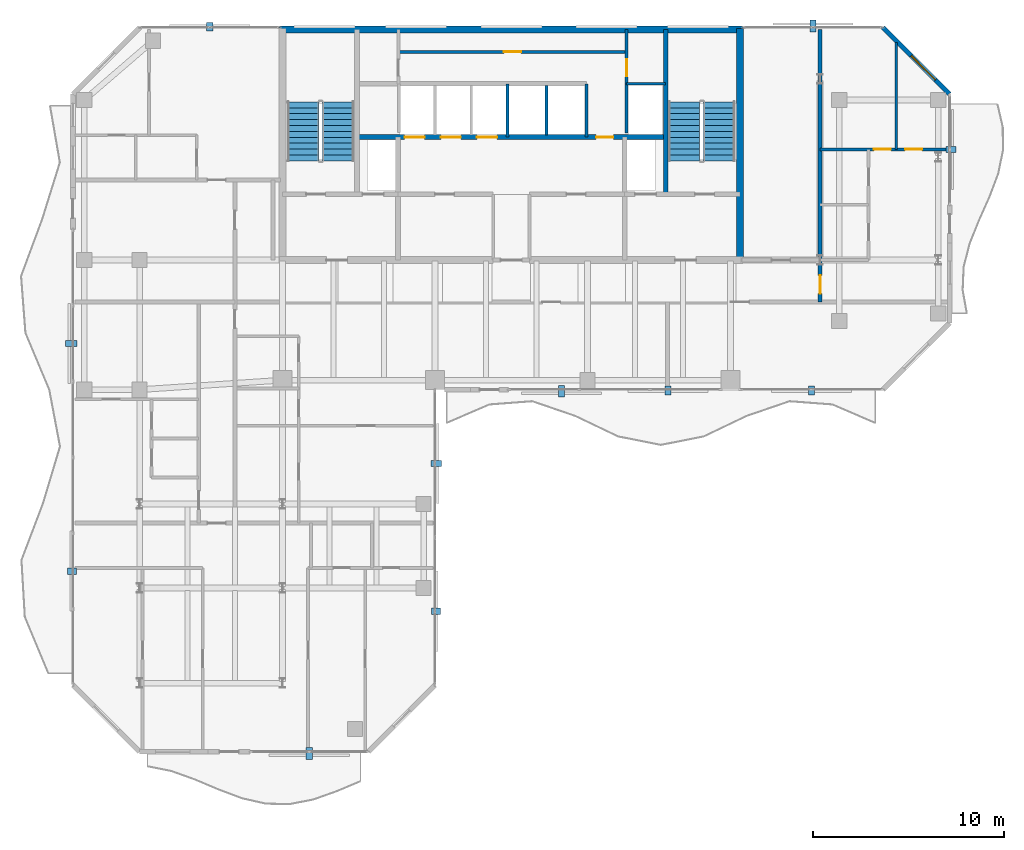
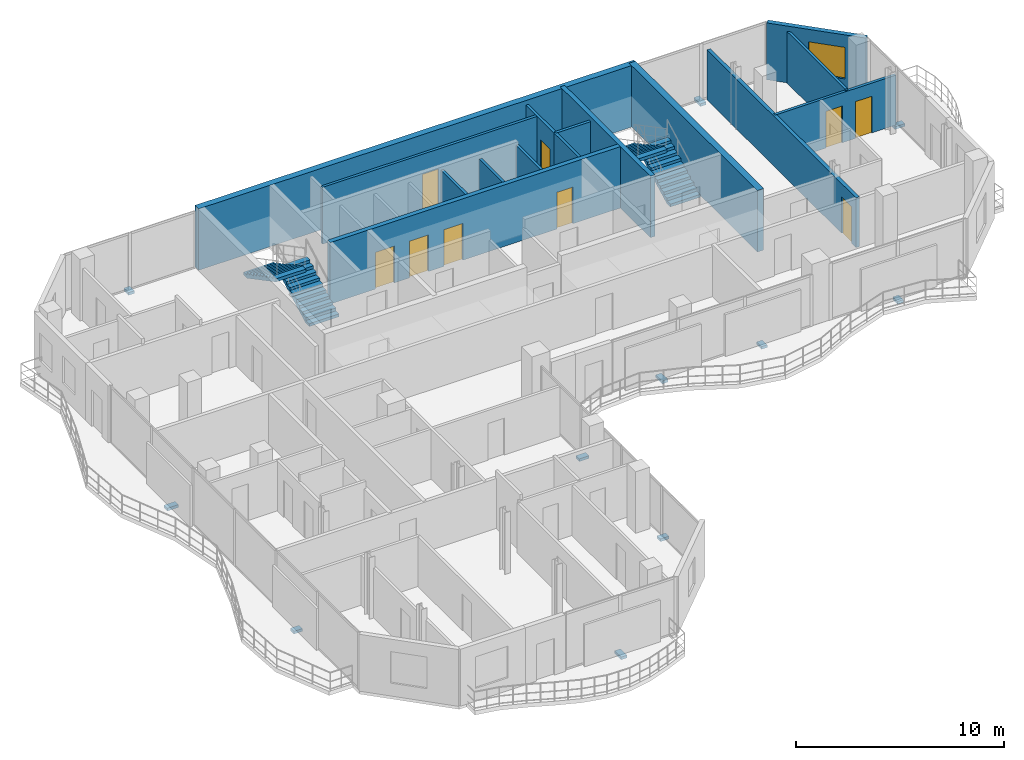
# One storey, part 20 of 23: 15 walls, 11 discrete accessories, 9 doors, 4 stair flights, 1 window, 10 openings, 2 elements without a shape of their own.
"""IFC4 building model written with IfcOpenShell, lengths in metres."""

from ifc_helpers import new_model, si_unit, direction, frame, frame_2d, origin, origin_2d, place, context, subcontext, project, spatial, polyline, rectangle, outline, extrude, material, layer, layer_set, type_object, element, fill, aggregate, save


model = new_model("IFC4")

# Units and contexts
model_context = context("Model", 3, precision=1e-05, world=origin(), true_north=direction((0.0, 1.0)))
body_context = subcontext(model_context, "Body", "Model", "MODEL_VIEW")
ifc_project = project(units=[si_unit("LENGTHUNIT", "METRE"), si_unit("AREAUNIT", "SQUARE_METRE"), si_unit("VOLUMEUNIT", "CUBIC_METRE"), si_unit("PLANEANGLEUNIT", "RADIAN"), si_unit("MASSUNIT", "GRAM", prefix="KILO")], contexts=[model_context])

# Site, building, storey
site_placement = place(None, origin())
site = spatial("IfcSite", under=ifc_project, at=site_placement, CompositionType="ELEMENT")
building_placement = place(site_placement, origin())
building = spatial("IfcBuilding", under=site, at=building_placement, Name="Catumbela Crestline Tower", CompositionType="ELEMENT")
storey_placement = place(building_placement, frame((0.0, 0.0, 172.2)))
storey = spatial("IfcBuildingStorey", under=building, at=storey_placement, Name="L44", CompositionType="ELEMENT", Elevation=172.2)

# Wall
ifc_material_1 = material(Name="Concrete C50/60", Category="concrete")
ifc_layer_1 = layer(ifc_material_1, 0.25, Name="Concrete C50/60")
ifc_layer_set_1 = layer_set([ifc_layer_1], Name="Concrete C50/60")
wall_type_1 = type_object("IfcWallType", Name="CW-250D", PredefinedType="SHEAR", material=ifc_layer_set_1)
wall_1_placement = place(storey_placement, frame((36.1, 34.25, 0.0), z_axis=(0.0, 0.0, 1.0), x_axis=(0.0, 1.0, 0.0)))
element("IfcWall", 1, at=wall_1_placement, inside=storey, type_object=wall_type_1, Name="L44 Structural Core Shear Wall EWEB", PredefinedType="SHEAR", context=body_context, shape_type="SweptSolid", body=[
    extrude(rectangle(XDim=8.65, YDim=0.25, at=frame_2d((4.325, 0.0))), origin(), (0.0, 0.0, 1.0), 3.6),
])

# Wall, openings, doors
wall_2_placement = place(storey_placement, frame((19.9, 37.25, 0.0), z_axis=(0.0, 0.0, 1.0), x_axis=(1.0, 0.0, 0.0)))
wall_2 = element("IfcWall", 2, at=wall_2_placement, inside=storey, type_object=wall_type_1, Name="L44 Structural Core Shear Wall LIFTN", PredefinedType="SHEAR", context=body_context, shape_type="SweptSolid", body=[
    extrude(rectangle(XDim=16.2, YDim=0.25, at=frame_2d((8.1, 0.0))), origin(), (0.0, 0.0, 1.0), 3.6),
])
opening_1_placement = place(wall_2_placement, frame((12.55, 0.0, 0.0)))
opening_1 = element("IfcOpeningElement", 3, at=opening_1_placement, cuts=wall_2, Name="Opening DF9-090", PredefinedType="OPENING", context=body_context, shape_type="SweptSolid", body=[
    extrude(rectangle(XDim=0.9, YDim=2.15, at=frame_2d((0.45, 1.075))), frame((0.0, 0.135, 0.0), z_axis=(0.0, -1.0, 0.0), x_axis=(1.0, 0.0, 0.0)), (0.0, 0.0, 1.0), 0.27),
])
opening_2_placement = place(wall_2_placement, frame((2.5, 0.0, 0.0)))
opening_2 = element("IfcOpeningElement", 4, at=opening_2_placement, cuts=wall_2, Name="Opening LD-105", PredefinedType="OPENING", context=body_context, shape_type="SweptSolid", body=[
    extrude(rectangle(XDim=1.05, YDim=2.15, at=frame_2d((0.525, 1.075))), frame((0.0, 0.135, 0.0), z_axis=(0.0, -1.0, 0.0), x_axis=(1.0, 0.0, 0.0)), (0.0, 0.0, 1.0), 0.27),
])
opening_3_placement = place(wall_2_placement, frame((4.4, 0.0, 0.0)))
opening_3 = element("IfcOpeningElement", 5, at=opening_3_placement, cuts=wall_2, Name="Opening LD-105", PredefinedType="OPENING", context=body_context, shape_type="SweptSolid", body=[
    extrude(rectangle(XDim=1.05, YDim=2.15, at=frame_2d((0.525, 1.075))), frame((0.0, 0.135, 0.0), z_axis=(0.0, -1.0, 0.0), x_axis=(1.0, 0.0, 0.0)), (0.0, 0.0, 1.0), 0.27),
])
opening_4_placement = place(wall_2_placement, frame((6.3, 0.0, 0.0)))
opening_4 = element("IfcOpeningElement", 6, at=opening_4_placement, cuts=wall_2, Name="Opening LD-105", PredefinedType="OPENING", context=body_context, shape_type="SweptSolid", body=[
    extrude(rectangle(XDim=1.05, YDim=2.15, at=frame_2d((0.525, 1.075))), frame((0.0, 0.135, 0.0), z_axis=(0.0, -1.0, 0.0), x_axis=(1.0, 0.0, 0.0)), (0.0, 0.0, 1.0), 0.27),
])
ifc_material_2 = material(Name="Stainless steel EN 1.4401", Category="steel")
door_type_1 = type_object("IfcDoorType", Name="DF9-090", OperationType="NOTDEFINED", PredefinedType="DOOR", material=ifc_material_2)
door_1_placement = place(opening_1_placement, origin())
door_1 = element("IfcDoor", 7, at=door_1_placement, inside=storey, type_object=door_type_1, Name="L44 Interior Door DR-L44-CPAS1", OperationType="SINGLE_SWING_LEFT", OverallHeight=2.15, OverallWidth=0.9, PredefinedType="DOOR", context=body_context, shape_type="SweptSolid", body=[
    extrude(rectangle(XDim=0.9, YDim=2.15, at=frame_2d((0.45, 1.075))), frame((0.0, 0.025, 0.0), z_axis=(0.0, -1.0, 0.0), x_axis=(1.0, 0.0, 0.0)), (0.0, 0.0, 1.0), 0.05),
])
fill(opening_1, door_1)
door_type_2 = type_object("IfcDoorType", Name="LD-105", OperationType="NOTDEFINED", PredefinedType="DOOR", material=ifc_material_2)
door_2_placement = place(opening_2_placement, origin())
door_2 = element("IfcDoor", 8, at=door_2_placement, inside=storey, type_object=door_type_2, Name="L44 Lift Landing Sliding Door PL-H1", OperationType="DOUBLE_DOOR_SLIDING", OverallHeight=2.15, OverallWidth=1.05, PredefinedType="DOOR", context=body_context, shape_type="SweptSolid", body=[
    extrude(rectangle(XDim=1.05, YDim=2.15, at=frame_2d((0.525, 1.075))), frame((0.0, 0.025, 0.0), z_axis=(0.0, -1.0, 0.0), x_axis=(1.0, 0.0, 0.0)), (0.0, 0.0, 1.0), 0.05),
])
fill(opening_2, door_2)
door_3_placement = place(opening_3_placement, origin())
door_3 = element("IfcDoor", 9, at=door_3_placement, inside=storey, type_object=door_type_2, Name="L44 Lift Landing Sliding Door PL-H2", OperationType="DOUBLE_DOOR_SLIDING", OverallHeight=2.15, OverallWidth=1.05, PredefinedType="DOOR", context=body_context, shape_type="SweptSolid", body=[
    extrude(rectangle(XDim=1.05, YDim=2.15, at=frame_2d((0.525, 1.075))), frame((0.0, 0.025, 0.0), z_axis=(0.0, -1.0, 0.0), x_axis=(1.0, 0.0, 0.0)), (0.0, 0.0, 1.0), 0.05),
])
fill(opening_3, door_3)
door_4_placement = place(opening_4_placement, origin())
door_4 = element("IfcDoor", 10, at=door_4_placement, inside=storey, type_object=door_type_2, Name="L44 Lift Landing Sliding Door PL-H3", OperationType="DOUBLE_DOOR_SLIDING", OverallHeight=2.15, OverallWidth=1.05, PredefinedType="DOOR", context=body_context, shape_type="SweptSolid", body=[
    extrude(rectangle(XDim=1.05, YDim=2.15, at=frame_2d((0.525, 1.075))), frame((0.0, 0.025, 0.0), z_axis=(0.0, -1.0, 0.0), x_axis=(1.0, 0.0, 0.0)), (0.0, 0.0, 1.0), 0.05),
])
fill(opening_4, door_4)

# Walls
ifc_layer_2 = layer(ifc_material_1, 0.35, Name="Concrete C50/60")
ifc_layer_set_2 = layer_set([ifc_layer_2], Name="Concrete C50/60")
wall_type_2 = type_object("IfcWallType", Name="CW-350B", PredefinedType="SHEAR", material=ifc_layer_set_2)
wall_3_placement = place(storey_placement, frame((40.0, 30.65, 0.0), z_axis=(0.0, 0.0, 1.0), x_axis=(0.0, 1.0, 0.0)))
element("IfcWall", 11, at=wall_3_placement, inside=storey, type_object=wall_type_2, Name="L44 Structural Core Shear Wall E", PredefinedType="SHEAR", context=body_context, shape_type="SweptSolid", body=[
    extrude(rectangle(XDim=12.3, YDim=0.35, at=frame_2d((6.15, 0.0))), origin(), (0.0, 0.0, 1.0), 3.6),
])
ifc_layer_3 = layer(ifc_material_1, 0.35, Name="Concrete C50/60")
ifc_layer_set_3 = layer_set([ifc_layer_3], Name="Concrete C50/60")
wall_type_3 = type_object("IfcWallType", Name="CW-350E", PredefinedType="SHEAR", material=ifc_layer_set_3)
wall_4_placement = place(storey_placement, frame((15.85, 42.9, 0.0), z_axis=(0.0, 0.0, 1.0), x_axis=(1.0, 0.0, 0.0)))
element("IfcWall", 12, at=wall_4_placement, inside=storey, type_object=wall_type_3, Name="L44 Structural Core Shear Wall N", PredefinedType="SHEAR", context=body_context, shape_type="SweptSolid", body=[
    extrude(rectangle(XDim=24.3, YDim=0.35, at=frame_2d((12.15, 0.0))), origin(), (0.0, 0.0, 1.0), 3.6),
])

# Wall, opening, door
ifc_material_3 = material(Name="Acoustic gypsum and mineral-wool partition")
ifc_layer_4 = layer(ifc_material_3, 0.2, Name="Acoustic gypsum and mineral-wool partition")
ifc_layer_set_4 = layer_set([ifc_layer_4], Name="Acoustic gypsum and mineral-wool partition")
wall_type_4 = type_object("IfcWallType", Name="WC-200", PredefinedType="PARTITIONING", material=ifc_layer_set_4)
wall_5_placement = place(storey_placement, frame((44.2, 28.6, 0.0), z_axis=(0.0, 0.0, 1.0), x_axis=(0.0, 1.0, 0.0)))
wall_5 = element("IfcWall", 13, at=wall_5_placement, inside=storey, type_object=wall_type_4, Name="L44 Interior Partition PW-L44-NE1-ENT", PredefinedType="PARTITIONING", context=body_context, shape_type="SweptSolid", body=[
    extrude(rectangle(XDim=14.3, YDim=0.2, at=frame_2d((7.15, 0.0))), origin(), (0.0, 0.0, 1.0), 2.92),
])
opening_5_placement = place(wall_5_placement, frame((0.445, 0.0, 0.0)))
opening_5 = element("IfcOpeningElement", 14, at=opening_5_placement, cuts=wall_5, Name="Opening DF6-095", PredefinedType="OPENING", context=body_context, shape_type="SweptSolid", body=[
    extrude(rectangle(XDim=0.95, YDim=2.15, at=frame_2d((0.475, 1.075))), frame((0.0, 0.11, 0.0), z_axis=(0.0, -1.0, 0.0), x_axis=(1.0, 0.0, 0.0)), (0.0, 0.0, 1.0), 0.22),
])
ifc_material_4 = material(Name="Aluminium alloy AW-6060-T66", Category="aluminium")
door_type_3 = type_object("IfcDoorType", Name="DF6-095", OperationType="NOTDEFINED", PredefinedType="DOOR", material=ifc_material_4)
door_5_placement = place(opening_5_placement, origin())
door_5 = element("IfcDoor", 15, at=door_5_placement, inside=storey, type_object=door_type_3, Name="L44 Interior Door DR-L44-NE1-ENT", OperationType="SINGLE_SWING_LEFT", OverallHeight=2.15, OverallWidth=0.95, PredefinedType="DOOR", context=body_context, shape_type="SweptSolid", body=[
    extrude(rectangle(XDim=0.95, YDim=2.15, at=frame_2d((0.475, 1.075))), frame((0.0, 0.025, 0.0), z_axis=(0.0, -1.0, 0.0), x_axis=(1.0, 0.0, 0.0)), (0.0, 0.0, 1.0), 0.05),
])
fill(opening_5, door_5)

# Wall, opening, window
ifc_material_5 = material(Name="Angolan grey-ochre granite", Category="masonry")
ifc_layer_5 = layer(ifc_material_5, 0.25, Name="Angolan grey-ochre granite")
ifc_layer_set_5 = layer_set([ifc_layer_5], Name="Angolan grey-ochre granite")
wall_type_5 = type_object("IfcWallType", Name="WE-250", PredefinedType="STANDARD", material=ifc_layer_set_5)
wall_6_placement = place(storey_placement, frame((51.0, 39.5, 0.0), z_axis=(0.0, 0.0, 1.0), x_axis=(-0.707106781187, 0.707106781187, 0.0)))
wall_6 = element("IfcWall", 16, at=wall_6_placement, inside=storey, type_object=wall_type_5, Name="L44 Granite Punched Window Wall 6-1", PredefinedType="STANDARD", context=body_context, shape_type="SweptSolid", body=[
    extrude(rectangle(XDim=4.9497, YDim=0.25, at=frame_2d((2.4748, 0.0))), origin(), (0.0, 0.0, 1.0), 3.33),
])
opening_6_placement = place(wall_6_placement, frame((1.0574, 0.0, 0.75)))
opening_6 = element("IfcOpeningElement", 17, at=opening_6_placement, cuts=wall_6, Name="Opening WN-01", PredefinedType="OPENING", context=body_context, shape_type="SweptSolid", body=[
    extrude(rectangle(XDim=1.8, YDim=1.85, at=frame_2d((0.9, 0.925))), frame((0.0, 0.135, 0.0), z_axis=(0.0, -1.0, 0.0), x_axis=(1.0, 0.0, 0.0)), (0.0, 0.0, 1.0), 0.27),
])
ifc_material_6 = material(Name="Low-E laminated solar-control double glazing", Category="glass")
window_type = type_object("IfcWindowType", Name="WF-1800", PartitioningType="SINGLE_PANEL", PredefinedType="WINDOW", material=ifc_material_6)
window_placement = place(opening_6_placement, origin())
window = element("IfcWindow", 18, at=window_placement, inside=storey, type_object=window_type, Name="L44 Facade Vision Window 269", OverallHeight=1.85, OverallWidth=1.8, PartitioningType="SINGLE_PANEL", PredefinedType="WINDOW", context=body_context, shape_type="SweptSolid", body=[
    extrude(rectangle(XDim=1.8, YDim=1.85, at=frame_2d((0.9, 0.925))), frame((0.0, 0.03, 0.0), z_axis=(0.0, -1.0, 0.0), x_axis=(1.0, 0.0, 0.0)), (0.0, 0.0, 1.0), 0.06),
])
fill(opening_6, window)

# Wall
ifc_layer_6 = layer(ifc_material_3, 0.15, Name="Acoustic gypsum and mineral-wool partition")
ifc_layer_set_6 = layer_set([ifc_layer_6], Name="Acoustic gypsum and mineral-wool partition")
wall_type_6 = type_object("IfcWallType", Name="WP-150", PredefinedType="PARTITIONING", material=ifc_layer_set_6)
wall_7_placement = place(storey_placement, frame((34.05, 40.05, 0.0), z_axis=(0.0, 0.0, 1.0), x_axis=(1.0, 0.0, 0.0)))
element("IfcWall", 19, at=wall_7_placement, inside=storey, type_object=wall_type_6, Name="L44 Interior Partition PW-L44-CR-ES", PredefinedType="PARTITIONING", context=body_context, shape_type="SweptSolid", body=[
    extrude(rectangle(XDim=2.05, YDim=0.15, at=frame_2d((1.025, 0.0))), origin(), (0.0, 0.0, 1.0), 3.33),
])

# Wall, opening, door
wall_8_placement = place(storey_placement, frame((34.05, 40.05, 0.0), z_axis=(0.0, 0.0, 1.0), x_axis=(0.0, 1.0, 0.0)))
wall_8 = element("IfcWall", 20, at=wall_8_placement, inside=storey, type_object=wall_type_6, Name="L44 Interior Partition PW-L44-CR-EW", PredefinedType="PARTITIONING", context=body_context, shape_type="SweptSolid", body=[
    extrude(rectangle(XDim=2.85, YDim=0.15, at=frame_2d((1.425, 0.0))), origin(), (0.0, 0.0, 1.0), 3.33),
])
opening_7_placement = place(wall_8_placement, frame((0.385, 0.0, 0.0)))
opening_7 = element("IfcOpeningElement", 21, at=opening_7_placement, cuts=wall_8, Name="Opening DF9-090", PredefinedType="OPENING", context=body_context, shape_type="SweptSolid", body=[
    extrude(rectangle(XDim=0.9, YDim=2.15, at=frame_2d((0.45, 1.075))), frame((0.0, 0.085, 0.0), z_axis=(0.0, -1.0, 0.0), x_axis=(1.0, 0.0, 0.0)), (0.0, 0.0, 1.0), 0.17),
])
door_6_placement = place(opening_7_placement, origin())
door_6 = element("IfcDoor", 22, at=door_6_placement, inside=storey, type_object=door_type_1, Name="L44 Interior Door DR-L44-CREAST", OperationType="SINGLE_SWING_RIGHT", OverallHeight=2.15, OverallWidth=0.9, PredefinedType="DOOR", context=body_context, shape_type="SweptSolid", body=[
    extrude(rectangle(XDim=0.9, YDim=2.15, at=frame_2d((0.45, 1.075))), frame((0.0, 0.025, 0.0), z_axis=(0.0, -1.0, 0.0), x_axis=(1.0, 0.0, 0.0)), (0.0, 0.0, 1.0), 0.05),
])
fill(opening_7, door_6)

wall_9_placement = place(storey_placement, frame((22.08, 41.72, 0.0), z_axis=(0.0, 0.0, 1.0), x_axis=(1.0, 0.0, 0.0)))
wall_9 = element("IfcWall", 23, at=wall_9_placement, inside=storey, type_object=wall_type_6, Name="L44 Interior Partition PW-L44-CR-MID", PredefinedType="PARTITIONING", context=body_context, shape_type="SweptSolid", body=[
    extrude(rectangle(XDim=11.97, YDim=0.15, at=frame_2d((5.985, 0.0))), origin(), (0.0, 0.0, 1.0), 3.33),
])
opening_8_placement = place(wall_9_placement, frame((5.535, 0.0, 0.0)))
opening_8 = element("IfcOpeningElement", 24, at=opening_8_placement, cuts=wall_9, Name="Opening DF9-090", PredefinedType="OPENING", context=body_context, shape_type="SweptSolid", body=[
    extrude(rectangle(XDim=0.9, YDim=2.15, at=frame_2d((0.45, 1.075))), frame((0.0, 0.085, 0.0), z_axis=(0.0, -1.0, 0.0), x_axis=(1.0, 0.0, 0.0)), (0.0, 0.0, 1.0), 0.17),
])
door_7_placement = place(opening_8_placement, origin())
door_7 = element("IfcDoor", 25, at=door_7_placement, inside=storey, type_object=door_type_1, Name="L44 Interior Door DR-L44-CRMID", OperationType="SINGLE_SWING_LEFT", OverallHeight=2.15, OverallWidth=0.9, PredefinedType="DOOR", context=body_context, shape_type="SweptSolid", body=[
    extrude(rectangle(XDim=0.9, YDim=2.15, at=frame_2d((0.45, 1.075))), frame((0.0, 0.025, 0.0), z_axis=(0.0, -1.0, 0.0), x_axis=(1.0, 0.0, 0.0)), (0.0, 0.0, 1.0), 0.05),
])
fill(opening_8, door_7)

# Wall, openings, doors
wall_10_placement = place(storey_placement, frame((44.2, 36.608, 0.0), z_axis=(0.0, 0.0, 1.0), x_axis=(1.0, 0.0, 0.0)))
wall_10 = element("IfcWall", 26, at=wall_10_placement, inside=storey, type_object=wall_type_6, Name="L44 Interior Partition PW-L44-NE1-KBN", PredefinedType="PARTITIONING", context=body_context, shape_type="SweptSolid", body=[
    extrude(rectangle(XDim=6.7, YDim=0.15, at=frame_2d((3.35, 0.0))), origin(), (0.0, 0.0, 1.0), 2.92),
])
opening_9_placement = place(wall_10_placement, frame((2.821, 0.0, 0.0)))
opening_9 = element("IfcOpeningElement", 27, at=opening_9_placement, cuts=wall_10, Name="Opening DI-090", PredefinedType="OPENING", context=body_context, shape_type="SweptSolid", body=[
    extrude(rectangle(XDim=0.9, YDim=2.15, at=frame_2d((0.45, 1.075))), frame((0.0, 0.085, 0.0), z_axis=(0.0, -1.0, 0.0), x_axis=(1.0, 0.0, 0.0)), (0.0, 0.0, 1.0), 0.17),
])
opening_10_placement = place(wall_10_placement, frame((4.4569, 0.0, 0.0)))
opening_10 = element("IfcOpeningElement", 28, at=opening_10_placement, cuts=wall_10, Name="Opening DI-090", PredefinedType="OPENING", context=body_context, shape_type="SweptSolid", body=[
    extrude(rectangle(XDim=0.9, YDim=2.15, at=frame_2d((0.45, 1.075))), frame((0.0, 0.085, 0.0), z_axis=(0.0, -1.0, 0.0), x_axis=(1.0, 0.0, 0.0)), (0.0, 0.0, 1.0), 0.17),
])
door_type_4 = type_object("IfcDoorType", Name="DI-090", OperationType="NOTDEFINED", PredefinedType="DOOR", material=ifc_material_4)
door_8_placement = place(opening_9_placement, origin())
door_8 = element("IfcDoor", 29, at=door_8_placement, inside=storey, type_object=door_type_4, Name="L44 Interior Door DR-L44-NE1-BD1", OperationType="SINGLE_SWING_LEFT", OverallHeight=2.15, OverallWidth=0.9, PredefinedType="DOOR", context=body_context, shape_type="SweptSolid", body=[
    extrude(rectangle(XDim=0.9, YDim=2.15, at=frame_2d((0.45, 1.075))), frame((0.0, 0.025, 0.0), z_axis=(0.0, -1.0, 0.0), x_axis=(1.0, 0.0, 0.0)), (0.0, 0.0, 1.0), 0.05),
])
fill(opening_9, door_8)
door_9_placement = place(opening_10_placement, origin())
door_9 = element("IfcDoor", 30, at=door_9_placement, inside=storey, type_object=door_type_4, Name="L44 Interior Door DR-L44-NE1-BD2", OperationType="SINGLE_SWING_RIGHT", OverallHeight=2.15, OverallWidth=0.9, PredefinedType="DOOR", context=body_context, shape_type="SweptSolid", body=[
    extrude(rectangle(XDim=0.9, YDim=2.15, at=frame_2d((0.45, 1.075))), frame((0.0, 0.025, 0.0), z_axis=(0.0, -1.0, 0.0), x_axis=(1.0, 0.0, 0.0)), (0.0, 0.0, 1.0), 0.05),
])
fill(opening_10, door_9)

# Walls
wall_11_placement = place(storey_placement, frame((48.196, 36.608, 0.0), z_axis=(0.0, 0.0, 1.0), x_axis=(0.0, 1.0, 0.0)))
element("IfcWall", 31, at=wall_11_placement, inside=storey, type_object=wall_type_6, Name="L44 Interior Partition PW-L44-NE1-BDP", PredefinedType="PARTITIONING", context=body_context, shape_type="SweptSolid", body=[
    extrude(rectangle(XDim=5.596, YDim=0.15, at=frame_2d((2.798, 0.0))), origin(), (0.0, 0.0, 1.0), 3.02),
])
ifc_layer_7 = layer(ifc_material_3, 0.15, Name="Acoustic gypsum and mineral-wool partition")
ifc_layer_set_7 = layer_set([ifc_layer_7], Name="Acoustic gypsum and mineral-wool partition")
wall_type_7 = type_object("IfcWallType", Name="WS-150", PredefinedType="PLUMBINGWALL", material=ifc_layer_set_7)
for number, where, z_axis, x_axis, name in (
    (32, (27.8, 37.25, 0.0), (0.0, 0.0, 1.0), (0.0, 1.0, 0.0), "L44 Interior Partition PW-L44-SHH3"),
    (33, (31.95, 37.25, 0.0), (0.0, 0.0, 1.0), (0.0, 1.0, 0.0), "L44 Interior Partition PW-L44-SHEX2E"),
):
    element("IfcWall", number, at=place(storey_placement, frame(where, z_axis=z_axis, x_axis=x_axis)), inside=storey, type_object=wall_type_7, Name=name, PredefinedType="PLUMBINGWALL", context=body_context, shape_type="SweptSolid", body=[
        extrude(rectangle(XDim=2.8, YDim=0.15, at=frame_2d((1.4, 0.0))), origin(), (0.0, 0.0, 1.0), 3.33),
    ])
wall_12_placement = place(storey_placement, frame((29.85, 37.35, 0.0), z_axis=(0.0, 0.0, 1.0), x_axis=(0.0, 1.0, 0.0)))
element("IfcWall", 34, at=wall_12_placement, inside=storey, type_object=wall_type_7, Name="L44 Interior Partition PW-L44-SHEX1", PredefinedType="PLUMBINGWALL", context=body_context, shape_type="SweptSolid", body=[
    extrude(rectangle(XDim=2.6, YDim=0.15, at=frame_2d((1.3, 0.0))), origin(), (0.0, 0.0, 1.0), 3.33),
])
wall_13_placement = place(storey_placement, frame((34.05, 37.4734, 0.0), z_axis=(0.0, 0.0, 1.0), x_axis=(0.0, 1.0, 0.0)))
element("IfcWall", 35, at=wall_13_placement, inside=storey, type_object=wall_type_7, Name="L44 Interior Partition PW-L44-RISW", PredefinedType="PLUMBINGWALL", context=body_context, shape_type="SweptSolid", body=[
    extrude(rectangle(XDim=2.5766, YDim=0.15, at=frame_2d((1.2883, 0.0))), origin(), (0.0, 0.0, 1.0), 3.33),
])

# Stair, stair flights
ifc_material_7 = material(Name="Concrete C45/55", Category="concrete")
stair_type = type_object("IfcStairType", Name="ST-DLG", PredefinedType="HALF_TURN_STAIR", material=ifc_material_7)
stair_1_placement = place(storey_placement, origin())
stair_1 = element("IfcStair", 36, at=stair_1_placement, inside=storey, type_object=stair_type, Name="L44 West Core Pressurised Exit Stair ST-01", PredefinedType="HALF_TURN_STAIR")
stair_flight_type = type_object("IfcStairFlightType", Name="SF-1636", PredefinedType="STRAIGHT", material=ifc_material_7)
stair_flight_1_placement = place(storey_placement, frame((18.92, 36.0, 0.0), z_axis=(0.0, 0.0, 1.0), x_axis=(0.0, 1.0, 0.0)))
stair_flight_1 = element("IfcStairFlight", 37, at=stair_flight_1_placement, type_object=stair_flight_type, Name="ST-01 flight 1", NumberOfRisers=11, NumberOfTreads=10, PredefinedType="STRAIGHT", RiserHeight=0.163636364, TreadLength=0.31, context=body_context, shape_type="SweptSolid", body=[
    extrude(outline(polyline([(0.0, 0.0), (0.0, 0.1636), (0.31, 0.1636), (0.31, 0.3273), (0.62, 0.3273), (0.62, 0.4909), (0.93, 0.4909), (0.93, 0.6545), (1.24, 0.6545), (1.24, 0.8182), (1.55, 0.8182), (1.55, 0.9818), (1.86, 0.9818), (1.86, 1.1455), (2.17, 1.1455), (2.17, 1.3091), (2.48, 1.3091), (2.48, 1.4727), (2.79, 1.4727), (2.79, 1.6364), (3.1, 1.6364), (3.1, 1.8), (3.1, 1.4554), (0.3427, 0.0), (0.0, 0.0)])), frame((0.0, 0.83, 0.0), z_axis=(0.0, -1.0, 0.0), x_axis=(1.0, 0.0, 0.0)), (0.0, 0.0, 1.0), 1.66),
])
stair_flight_2_placement = place(storey_placement, frame((17.08, 39.1, 1.8), z_axis=(0.0, 0.0, 1.0), x_axis=(0.0, -1.0, 0.0)))
stair_flight_2 = element("IfcStairFlight", 38, at=stair_flight_2_placement, type_object=stair_flight_type, Name="ST-01 flight 2", NumberOfRisers=11, NumberOfTreads=10, PredefinedType="STRAIGHT", RiserHeight=0.163636364, TreadLength=0.31, context=body_context, shape_type="SweptSolid", body=[
    extrude(outline(polyline([(0.0, 0.0), (0.0, 0.1636), (0.31, 0.1636), (0.31, 0.3273), (0.62, 0.3273), (0.62, 0.4909), (0.93, 0.4909), (0.93, 0.6545), (1.24, 0.6545), (1.24, 0.8182), (1.55, 0.8182), (1.55, 0.9818), (1.86, 0.9818), (1.86, 1.1455), (2.17, 1.1455), (2.17, 1.3091), (2.48, 1.3091), (2.48, 1.4727), (2.79, 1.4727), (2.79, 1.6364), (3.1, 1.6364), (3.1, 1.8), (3.1, 1.4554), (0.3427, 0.0), (0.0, 0.0)])), frame((0.0, 0.83, 0.0), z_axis=(0.0, -1.0, 0.0), x_axis=(1.0, 0.0, 0.0)), (0.0, 0.0, 1.0), 1.66),
])
aggregate(stair_1, [stair_flight_1, stair_flight_2])

stair_2_placement = place(storey_placement, origin())
stair_2 = element("IfcStair", 39, at=stair_2_placement, inside=storey, type_object=stair_type, Name="L44 East Core Pressurised Exit Stair ST-02", PredefinedType="HALF_TURN_STAIR")
stair_flight_3_placement = place(storey_placement, frame((38.92, 36.0, 0.0), z_axis=(0.0, 0.0, 1.0), x_axis=(0.0, 1.0, 0.0)))
stair_flight_3 = element("IfcStairFlight", 40, at=stair_flight_3_placement, type_object=stair_flight_type, Name="ST-02 flight 1", NumberOfRisers=11, NumberOfTreads=10, PredefinedType="STRAIGHT", RiserHeight=0.163636364, TreadLength=0.31, context=body_context, shape_type="SweptSolid", body=[
    extrude(outline(polyline([(0.0, 0.0), (0.0, 0.1636), (0.31, 0.1636), (0.31, 0.3273), (0.62, 0.3273), (0.62, 0.4909), (0.93, 0.4909), (0.93, 0.6545), (1.24, 0.6545), (1.24, 0.8182), (1.55, 0.8182), (1.55, 0.9818), (1.86, 0.9818), (1.86, 1.1455), (2.17, 1.1455), (2.17, 1.3091), (2.48, 1.3091), (2.48, 1.4727), (2.79, 1.4727), (2.79, 1.6364), (3.1, 1.6364), (3.1, 1.8), (3.1, 1.4554), (0.3427, 0.0), (0.0, 0.0)])), frame((0.0, 0.83, 0.0), z_axis=(0.0, -1.0, 0.0), x_axis=(1.0, 0.0, 0.0)), (0.0, 0.0, 1.0), 1.66),
])
stair_flight_4_placement = place(storey_placement, frame((37.08, 39.1, 1.8), z_axis=(0.0, 0.0, 1.0), x_axis=(0.0, -1.0, 0.0)))
stair_flight_4 = element("IfcStairFlight", 41, at=stair_flight_4_placement, type_object=stair_flight_type, Name="ST-02 flight 2", NumberOfRisers=11, NumberOfTreads=10, PredefinedType="STRAIGHT", RiserHeight=0.163636364, TreadLength=0.31, context=body_context, shape_type="SweptSolid", body=[
    extrude(outline(polyline([(0.0, 0.0), (0.0, 0.1636), (0.31, 0.1636), (0.31, 0.3273), (0.62, 0.3273), (0.62, 0.4909), (0.93, 0.4909), (0.93, 0.6545), (1.24, 0.6545), (1.24, 0.8182), (1.55, 0.8182), (1.55, 0.9818), (1.86, 0.9818), (1.86, 1.1455), (2.17, 1.1455), (2.17, 1.3091), (2.48, 1.3091), (2.48, 1.4727), (2.79, 1.4727), (2.79, 1.6364), (3.1, 1.6364), (3.1, 1.8), (3.1, 1.4554), (0.3427, 0.0), (0.0, 0.0)])), frame((0.0, 0.83, 0.0), z_axis=(0.0, -1.0, 0.0), x_axis=(1.0, 0.0, 0.0)), (0.0, 0.0, 1.0), 1.66),
])
aggregate(stair_2, [stair_flight_3, stair_flight_4])

# Discrete accessories
discrete_accessory_type = type_object("IfcDiscreteAccessoryType", Name="BK-SS1", PredefinedType="BRACKET", material=ifc_material_2)
discrete_accessory_1_placement = place(storey_placement, frame((17.4, 4.915, -0.18), z_axis=(0.0, 0.0, 1.0), x_axis=(1.0, 0.0, 0.0)))
element("IfcDiscreteAccessory", 42, at=discrete_accessory_1_placement, inside=storey, type_object=discrete_accessory_type, Name="L44 Solar Screen Stainless Bracket 496", PredefinedType="BRACKET", context=body_context, shape_type="SweptSolid", body=[
    extrude(rectangle(XDim=0.32, YDim=0.62, at=origin_2d()), origin(), (0.0, 0.0, 1.0), 0.16),
])
discrete_accessory_2_placement = place(storey_placement, frame((24.045, 12.375, -0.18), z_axis=(0.0, 0.0, 1.0), x_axis=(0.0, 1.0, 0.0)))
element("IfcDiscreteAccessory", 43, at=discrete_accessory_2_placement, inside=storey, type_object=discrete_accessory_type, Name="L44 Solar Screen Stainless Bracket 497", PredefinedType="BRACKET", context=body_context, shape_type="SweptSolid", body=[
    extrude(rectangle(XDim=0.32, YDim=0.46, at=origin_2d()), origin(), (0.0, 0.0, 1.0), 0.16),
])
discrete_accessory_3_placement = place(storey_placement, frame((24.065, 20.125, -0.18), z_axis=(0.0, 0.0, 1.0), x_axis=(0.0, 1.0, 0.0)))
element("IfcDiscreteAccessory", 44, at=discrete_accessory_3_placement, inside=storey, type_object=discrete_accessory_type, Name="L44 Solar Screen Stainless Bracket 498", PredefinedType="BRACKET", context=body_context, shape_type="SweptSolid", body=[
    extrude(rectangle(XDim=0.32, YDim=0.54, at=origin_2d()), origin(), (0.0, 0.0, 1.0), 0.16),
])
discrete_accessory_4_placement = place(storey_placement, frame((30.6375, 23.915, -0.18), z_axis=(0.0, 0.0, 1.0), x_axis=(1.0, 0.0, 0.0)))
element("IfcDiscreteAccessory", 45, at=discrete_accessory_4_placement, inside=storey, type_object=discrete_accessory_type, Name="L44 Solar Screen Stainless Bracket 499", PredefinedType="BRACKET", context=body_context, shape_type="SweptSolid", body=[
    extrude(rectangle(XDim=0.32, YDim=0.62, at=origin_2d()), origin(), (0.0, 0.0, 1.0), 0.16),
])
for number, where, z_axis, x_axis, name in (
    (46, (36.2125, 23.955, -0.18), (0.0, 0.0, 1.0), (1.0, 0.0, 0.0), "L44 Solar Screen Stainless Bracket 500"),
    (47, (43.75, 23.955, -0.18), (0.0, 0.0, 1.0), (1.0, 0.0, 0.0), "L44 Solar Screen Stainless Bracket 501"),
):
    element("IfcDiscreteAccessory", number, at=place(storey_placement, frame(where, z_axis=z_axis, x_axis=x_axis)), inside=storey, type_object=discrete_accessory_type, Name=name, PredefinedType="BRACKET", context=body_context, shape_type="SweptSolid", body=[
        extrude(rectangle(XDim=0.32, YDim=0.46, at=origin_2d()), origin(), (0.0, 0.0, 1.0), 0.16),
    ])
discrete_accessory_5_placement = place(storey_placement, frame((51.065, 36.6, -0.18), z_axis=(0.0, 0.0, 1.0), x_axis=(0.0, 1.0, 0.0)))
element("IfcDiscreteAccessory", 48, at=discrete_accessory_5_placement, inside=storey, type_object=discrete_accessory_type, Name="L44 Solar Screen Stainless Bracket 502", PredefinedType="BRACKET", context=body_context, shape_type="SweptSolid", body=[
    extrude(rectangle(XDim=0.32, YDim=0.54, at=origin_2d()), origin(), (0.0, 0.0, 1.0), 0.16),
])
discrete_accessory_6_placement = place(storey_placement, frame((43.82, 43.085, -0.18), z_axis=(0.0, 0.0, 1.0), x_axis=(-1.0, 0.0, 0.0)))
element("IfcDiscreteAccessory", 49, at=discrete_accessory_6_placement, inside=storey, type_object=discrete_accessory_type, Name="L44 Solar Screen Stainless Bracket 503", PredefinedType="BRACKET", context=body_context, shape_type="SweptSolid", body=[
    extrude(rectangle(XDim=0.32, YDim=0.62, at=origin_2d()), origin(), (0.0, 0.0, 1.0), 0.16),
])
discrete_accessory_7_placement = place(storey_placement, frame((12.18, 43.045, -0.18), z_axis=(0.0, 0.0, 1.0), x_axis=(-1.0, 0.0, 0.0)))
element("IfcDiscreteAccessory", 50, at=discrete_accessory_7_placement, inside=storey, type_object=discrete_accessory_type, Name="L44 Solar Screen Stainless Bracket 504", PredefinedType="BRACKET", context=body_context, shape_type="SweptSolid", body=[
    extrude(rectangle(XDim=0.32, YDim=0.46, at=origin_2d()), origin(), (0.0, 0.0, 1.0), 0.16),
])
discrete_accessory_8_placement = place(storey_placement, frame((4.915, 26.425, -0.18), z_axis=(0.0, 0.0, 1.0), x_axis=(0.0, -1.0, 0.0)))
element("IfcDiscreteAccessory", 51, at=discrete_accessory_8_placement, inside=storey, type_object=discrete_accessory_type, Name="L44 Solar Screen Stainless Bracket 505", PredefinedType="BRACKET", context=body_context, shape_type="SweptSolid", body=[
    extrude(rectangle(XDim=0.32, YDim=0.62, at=origin_2d()), origin(), (0.0, 0.0, 1.0), 0.16),
])
discrete_accessory_9_placement = place(storey_placement, frame((4.955, 14.475, -0.18), z_axis=(0.0, 0.0, 1.0), x_axis=(0.0, -1.0, 0.0)))
element("IfcDiscreteAccessory", 52, at=discrete_accessory_9_placement, inside=storey, type_object=discrete_accessory_type, Name="L44 Solar Screen Stainless Bracket 506", PredefinedType="BRACKET", context=body_context, shape_type="SweptSolid", body=[
    extrude(rectangle(XDim=0.32, YDim=0.46, at=origin_2d()), origin(), (0.0, 0.0, 1.0), 0.16),
])

save(model, "model.ifc")
